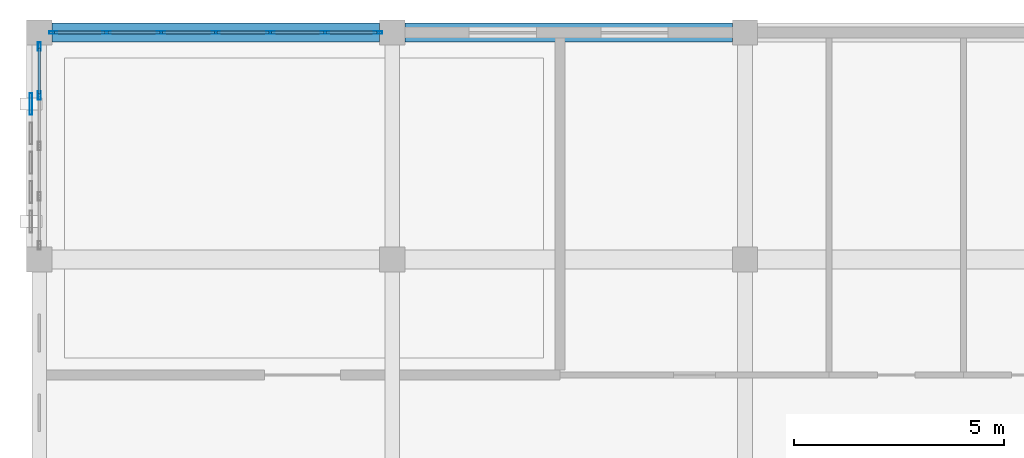
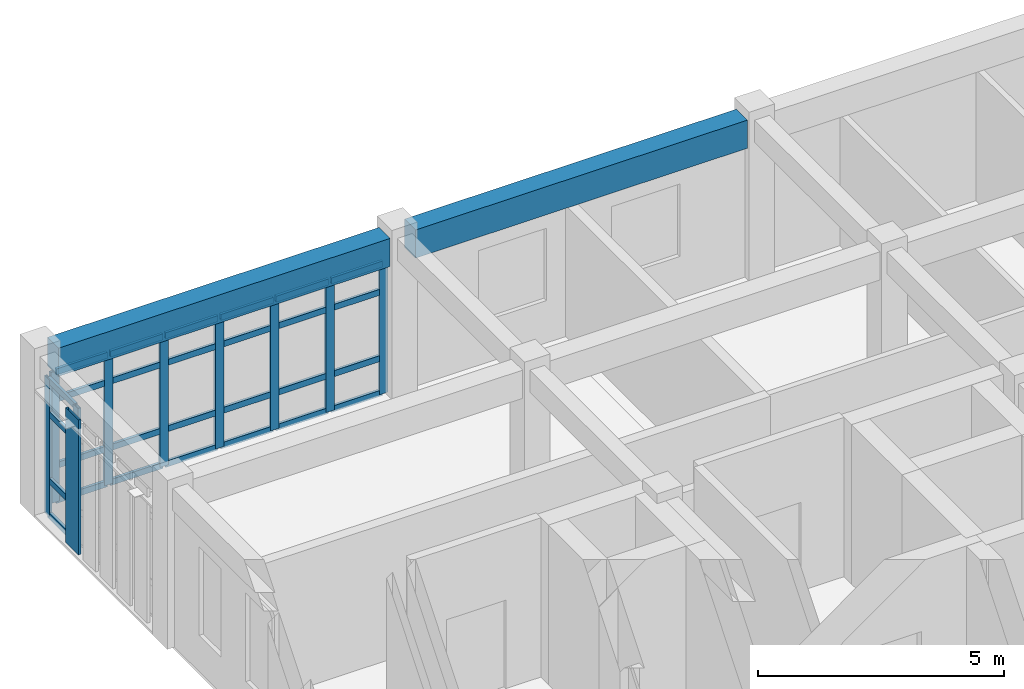
# One storey, part 13 of 21: 38 members, 2 beams, 2 elements without a shape of their own.
"""IFC4 building model written with IfcOpenShell, lengths in metres."""

from ifc_helpers import new_model, si_unit, direction, frame, origin, origin_2d, place, context, subcontext, project, spatial, rectangle, hollow_rectangle, extrude, material, layer, layer_set, material_profile, profile_set, type_object, element, aggregate, save


model = new_model("IFC4")

# Units and contexts
model_context = context("Model", 3, precision=1e-05, world=origin(), true_north=direction((0.0, 1.0)))
body_context = subcontext(model_context, "Body", "Model", "MODEL_VIEW")
ifc_project = project(units=[si_unit("LENGTHUNIT", "METRE"), si_unit("AREAUNIT", "SQUARE_METRE"), si_unit("VOLUMEUNIT", "CUBIC_METRE"), si_unit("PLANEANGLEUNIT", "RADIAN"), si_unit("MASSUNIT", "GRAM", prefix="KILO")], contexts=[model_context])

# Site, building, storey
site_placement = place(None, origin())
site = spatial("IfcSite", under=ifc_project, at=site_placement, CompositionType="ELEMENT")
building_placement = place(site_placement, origin())
building = spatial("IfcBuilding", under=site, at=building_placement, Name="Krzemoval Escarpment Law Courts", CompositionType="ELEMENT")
storey_placement = place(building_placement, frame((0.0, 0.0, 37.800048828125)))
storey = spatial("IfcBuildingStorey", under=building, at=storey_placement, Name="L08", CompositionType="ELEMENT", Elevation=37.800048828125)

# Beams
ifc_material_1 = material(Name="Concrete C40/50", Category="concrete")
ifc_material_profile_1 = material_profile(ifc_material_1, rectangle(XDim=0.449951171875, YDim=0.699951171875, at=origin_2d()), Name="RCB 450x700")
ifc_profile_set_1 = profile_set([ifc_material_profile_1], Name="Concrete C40/50")
beam_type = type_object("IfcBeamType", Name="BM-RC-450x700", PredefinedType="BEAM", material=ifc_profile_set_1)
for number, where, z_axis, x_axis, name in (
    (1, (126.300048828125, 118.800048828125, 3.60986328125), (1.0, 0.0, 0.0), (0.0, 1.0, 0.0), "Beam FG-L08-2755"),
    (2, (134.699951171875, 118.800048828125, 3.60986328125), (1.0, 0.0, 0.0), (0.0, 1.0, 0.0), "Beam FG-L08-2756"),
):
    element("IfcBeam", number, at=place(storey_placement, frame(where, z_axis=z_axis, x_axis=x_axis)), inside=storey, type_object=beam_type, Name=name, PredefinedType="BEAM", context=body_context, shape_type="SweptSolid", body=[
        extrude(rectangle(XDim=0.449951171875, YDim=0.699951171875, at=origin_2d()), origin(), (0.0, 0.0, 1.0), 7.800048828125),
    ])

# Curtain wall, members
ifc_material_2 = material(Name="Aluminium 6063-T6", Category="aluminium")
ifc_layer = layer(ifc_material_2, 0.219970703125)
ifc_layer_set = layer_set([ifc_layer], Name="Aluminium 6063-T6")
curtain_wall_type = type_object("IfcCurtainWallType", Name="CW-CHMB-4200", PredefinedType="USERDEFINED", material=ifc_layer_set)
curtain_wall_1_placement = place(storey_placement, origin())
curtain_wall_1 = element("IfcCurtainWall", 3, at=curtain_wall_1_placement, inside=storey, type_object=curtain_wall_type, Name="Unitised Curtain Wall FCW-L08-164", ObjectType="UNITISED_CURTAIN_WALL", PredefinedType="USERDEFINED")
ifc_material_3 = material(Name="Aluminium 6063-T6", Category="aluminium")
ifc_material_profile_2 = material_profile(ifc_material_3, hollow_rectangle(XDim=0.06494140625, YDim=0.199951171875, WallThickness=0.00439453125, at=origin_2d()), Name="ALU M65x200")
ifc_profile_set_2 = profile_set([ifc_material_profile_2], Name="Aluminium 6063-T6")
member_type_1 = type_object("IfcMemberType", Name="CWM-65x200", PredefinedType="MULLION", material=ifc_profile_set_2)
member_1_placement = place(storey_placement, frame((126.0, 117.300048828125, 0.0), z_axis=(0.0, 0.0, 1.0), x_axis=(-1.0, 0.0, 0.0)))
member_1 = element("IfcMember", 4, at=member_1_placement, type_object=member_type_1, Name="FCW-L08-164 mullion 4", PredefinedType="MULLION", context=body_context, shape_type="SweptSolid", body=[
    extrude(hollow_rectangle(XDim=0.06494140625, YDim=0.199951171875, WallThickness=0.00439453125, at=origin_2d()), origin(), (0.0, 0.0, 1.0), 3.409912109375),
])
member_2_placement = place(storey_placement, frame((126.0, 118.467529296875, 0.0), z_axis=(0.0, 0.0, 1.0), x_axis=(-1.0, 0.0, 0.0)))
member_2 = element("IfcMember", 5, at=member_2_placement, type_object=member_type_1, Name="FCW-L08-164 mullion 5", PredefinedType="MULLION", context=body_context, shape_type="SweptSolid", body=[
    extrude(hollow_rectangle(XDim=0.06494140625, YDim=0.199951171875, WallThickness=0.00439453125, at=origin_2d()), origin(), (0.0, 0.0, 1.0), 3.409912109375),
])

curtain_wall_2_placement = place(storey_placement, origin())
curtain_wall_2 = element("IfcCurtainWall", 6, at=curtain_wall_2_placement, inside=storey, type_object=curtain_wall_type, Name="Unitised Curtain Wall FCW-L08-165", ObjectType="UNITISED_CURTAIN_WALL", PredefinedType="USERDEFINED")
member_3_placement = place(storey_placement, frame((126.33251953125, 118.800048828125, 0.0), z_axis=(0.0, 0.0, 1.0), x_axis=(0.0, 1.0, 0.0)))
member_3 = element("IfcMember", 7, at=member_3_placement, type_object=member_type_1, Name="FCW-L08-165 mullion 1", PredefinedType="MULLION", context=body_context, shape_type="SweptSolid", body=[
    extrude(hollow_rectangle(XDim=0.06494140625, YDim=0.199951171875, WallThickness=0.00439453125, at=origin_2d()), origin(), (0.0, 0.0, 1.0), 3.260009765625),
])
member_4_placement = place(storey_placement, frame((127.60009765625, 118.800048828125, 0.0), z_axis=(0.0, 0.0, 1.0), x_axis=(0.0, 1.0, 0.0)))
member_4 = element("IfcMember", 8, at=member_4_placement, type_object=member_type_1, Name="FCW-L08-165 mullion 2", PredefinedType="MULLION", context=body_context, shape_type="SweptSolid", body=[
    extrude(hollow_rectangle(XDim=0.06494140625, YDim=0.199951171875, WallThickness=0.00439453125, at=origin_2d()), origin(), (0.0, 0.0, 1.0), 3.260009765625),
])
member_5_placement = place(storey_placement, frame((128.89990234375, 118.800048828125, 0.0), z_axis=(0.0, 0.0, 1.0), x_axis=(0.0, 1.0, 0.0)))
member_5 = element("IfcMember", 9, at=member_5_placement, type_object=member_type_1, Name="FCW-L08-165 mullion 3", PredefinedType="MULLION", context=body_context, shape_type="SweptSolid", body=[
    extrude(hollow_rectangle(XDim=0.06494140625, YDim=0.199951171875, WallThickness=0.00439453125, at=origin_2d()), origin(), (0.0, 0.0, 1.0), 3.260009765625),
])
member_6_placement = place(storey_placement, frame((130.199951171875, 118.800048828125, 0.0), z_axis=(0.0, 0.0, 1.0), x_axis=(0.0, 1.0, 0.0)))
member_6 = element("IfcMember", 10, at=member_6_placement, type_object=member_type_1, Name="FCW-L08-165 mullion 4", PredefinedType="MULLION", context=body_context, shape_type="SweptSolid", body=[
    extrude(hollow_rectangle(XDim=0.06494140625, YDim=0.199951171875, WallThickness=0.00439453125, at=origin_2d()), origin(), (0.0, 0.0, 1.0), 3.260009765625),
])
member_7_placement = place(storey_placement, frame((131.5, 118.800048828125, 0.0), z_axis=(0.0, 0.0, 1.0), x_axis=(0.0, 1.0, 0.0)))
member_7 = element("IfcMember", 11, at=member_7_placement, type_object=member_type_1, Name="FCW-L08-165 mullion 5", PredefinedType="MULLION", context=body_context, shape_type="SweptSolid", body=[
    extrude(hollow_rectangle(XDim=0.06494140625, YDim=0.199951171875, WallThickness=0.00439453125, at=origin_2d()), origin(), (0.0, 0.0, 1.0), 3.260009765625),
])
member_8_placement = place(storey_placement, frame((132.800048828125, 118.800048828125, 0.0), z_axis=(0.0, 0.0, 1.0), x_axis=(0.0, 1.0, 0.0)))
member_8 = element("IfcMember", 12, at=member_8_placement, type_object=member_type_1, Name="FCW-L08-165 mullion 6", PredefinedType="MULLION", context=body_context, shape_type="SweptSolid", body=[
    extrude(hollow_rectangle(XDim=0.06494140625, YDim=0.199951171875, WallThickness=0.00439453125, at=origin_2d()), origin(), (0.0, 0.0, 1.0), 3.260009765625),
])
member_9_placement = place(storey_placement, frame((134.0673828125, 118.800048828125, 0.0), z_axis=(0.0, 0.0, 1.0), x_axis=(0.0, 1.0, 0.0)))
member_9 = element("IfcMember", 13, at=member_9_placement, type_object=member_type_1, Name="FCW-L08-165 mullion 7", PredefinedType="MULLION", context=body_context, shape_type="SweptSolid", body=[
    extrude(hollow_rectangle(XDim=0.06494140625, YDim=0.199951171875, WallThickness=0.00439453125, at=origin_2d()), origin(), (0.0, 0.0, 1.0), 3.260009765625),
])

# Member
ifc_material_4 = material(Name="Aluminium 6063-T6", Category="aluminium")
ifc_material_profile_3 = material_profile(ifc_material_4, hollow_rectangle(XDim=0.06494140625, YDim=0.14990234375, WallThickness=0.00439453125, at=origin_2d()), Name="ALU T65x150")
ifc_profile_set_3 = profile_set([ifc_material_profile_3], Name="Aluminium 6063-T6")
member_type_2 = type_object("IfcMemberType", Name="CWT-65x150", PredefinedType="USERDEFINED", material=ifc_profile_set_3)
member_10_placement = place(storey_placement, frame((126.0, 117.33251953125, 0.032470703125), z_axis=(0.0, 1.0, 0.0), x_axis=(-1.0, 0.0, 0.0)))
member_10 = element("IfcMember", 14, at=member_10_placement, type_object=member_type_2, Name="FCW-L08-164 transom 4.1", ObjectType="TRANSOM", PredefinedType="USERDEFINED", context=body_context, shape_type="SweptSolid", body=[
    extrude(hollow_rectangle(XDim=0.06494140625, YDim=0.14990234375, WallThickness=0.00439453125, at=origin_2d()), origin(), (0.0, 0.0, 1.0), 1.1025390625),
])

member_11_placement = place(storey_placement, frame((126.0, 117.33251953125, 0.89990234375), z_axis=(0.0, 1.0, 0.0), x_axis=(-1.0, 0.0, 0.0)))
member_11 = element("IfcMember", 15, at=member_11_placement, type_object=member_type_2, Name="FCW-L08-164 transom 4.2", ObjectType="TRANSOM", PredefinedType="USERDEFINED", context=body_context, shape_type="SweptSolid", body=[
    extrude(hollow_rectangle(XDim=0.06494140625, YDim=0.14990234375, WallThickness=0.00439453125, at=origin_2d()), origin(), (0.0, 0.0, 1.0), 1.1025390625),
])

member_12_placement = place(storey_placement, frame((126.0, 117.33251953125, 2.550048828125), z_axis=(0.0, 1.0, 0.0), x_axis=(-1.0, 0.0, 0.0)))
member_12 = element("IfcMember", 16, at=member_12_placement, type_object=member_type_2, Name="FCW-L08-164 transom 4.3", ObjectType="TRANSOM", PredefinedType="USERDEFINED", context=body_context, shape_type="SweptSolid", body=[
    extrude(hollow_rectangle(XDim=0.06494140625, YDim=0.14990234375, WallThickness=0.00439453125, at=origin_2d()), origin(), (0.0, 0.0, 1.0), 1.1025390625),
])

member_13_placement = place(storey_placement, frame((126.0, 117.33251953125, 3.37744140625), z_axis=(0.0, 1.0, 0.0), x_axis=(-1.0, 0.0, 0.0)))
member_13 = element("IfcMember", 17, at=member_13_placement, type_object=member_type_2, Name="FCW-L08-164 transom 4.4", ObjectType="TRANSOM", PredefinedType="USERDEFINED", context=body_context, shape_type="SweptSolid", body=[
    extrude(hollow_rectangle(XDim=0.06494140625, YDim=0.14990234375, WallThickness=0.00439453125, at=origin_2d()), origin(), (0.0, 0.0, 1.0), 1.1025390625),
])

aggregate(curtain_wall_1, [member_1, member_2, member_10, member_11, member_12, member_13])

member_14_placement = place(storey_placement, frame((126.364990234375, 118.800048828125, 0.032470703125), z_axis=(1.0, 0.0, 0.0), x_axis=(0.0, 1.0, 0.0)))
member_14 = element("IfcMember", 18, at=member_14_placement, type_object=member_type_2, Name="FCW-L08-165 transom 1.1", ObjectType="TRANSOM", PredefinedType="USERDEFINED", context=body_context, shape_type="SweptSolid", body=[
    extrude(hollow_rectangle(XDim=0.06494140625, YDim=0.14990234375, WallThickness=0.00439453125, at=origin_2d()), origin(), (0.0, 0.0, 1.0), 1.202392578125),
])

member_15_placement = place(storey_placement, frame((126.364990234375, 118.800048828125, 0.89990234375), z_axis=(1.0, 0.0, 0.0), x_axis=(0.0, 1.0, 0.0)))
member_15 = element("IfcMember", 19, at=member_15_placement, type_object=member_type_2, Name="FCW-L08-165 transom 1.2", ObjectType="TRANSOM", PredefinedType="USERDEFINED", context=body_context, shape_type="SweptSolid", body=[
    extrude(hollow_rectangle(XDim=0.06494140625, YDim=0.14990234375, WallThickness=0.00439453125, at=origin_2d()), origin(), (0.0, 0.0, 1.0), 1.202392578125),
])

member_16_placement = place(storey_placement, frame((126.364990234375, 118.800048828125, 2.550048828125), z_axis=(1.0, 0.0, 0.0), x_axis=(0.0, 1.0, 0.0)))
member_16 = element("IfcMember", 20, at=member_16_placement, type_object=member_type_2, Name="FCW-L08-165 transom 1.3", ObjectType="TRANSOM", PredefinedType="USERDEFINED", context=body_context, shape_type="SweptSolid", body=[
    extrude(hollow_rectangle(XDim=0.06494140625, YDim=0.14990234375, WallThickness=0.00439453125, at=origin_2d()), origin(), (0.0, 0.0, 1.0), 1.202392578125),
])

member_17_placement = place(storey_placement, frame((126.364990234375, 118.800048828125, 3.2275390625), z_axis=(1.0, 0.0, 0.0), x_axis=(0.0, 1.0, 0.0)))
member_17 = element("IfcMember", 21, at=member_17_placement, type_object=member_type_2, Name="FCW-L08-165 transom 1.4", ObjectType="TRANSOM", PredefinedType="USERDEFINED", context=body_context, shape_type="SweptSolid", body=[
    extrude(hollow_rectangle(XDim=0.06494140625, YDim=0.14990234375, WallThickness=0.00439453125, at=origin_2d()), origin(), (0.0, 0.0, 1.0), 1.202392578125),
])

member_18_placement = place(storey_placement, frame((127.632568359375, 118.800048828125, 0.032470703125), z_axis=(1.0, 0.0, 0.0), x_axis=(0.0, 1.0, 0.0)))
member_18 = element("IfcMember", 22, at=member_18_placement, type_object=member_type_2, Name="FCW-L08-165 transom 2.1", ObjectType="TRANSOM", PredefinedType="USERDEFINED", context=body_context, shape_type="SweptSolid", body=[
    extrude(hollow_rectangle(XDim=0.06494140625, YDim=0.14990234375, WallThickness=0.00439453125, at=origin_2d()), origin(), (0.0, 0.0, 1.0), 1.23486328125),
])

member_19_placement = place(storey_placement, frame((127.632568359375, 118.800048828125, 0.89990234375), z_axis=(1.0, 0.0, 0.0), x_axis=(0.0, 1.0, 0.0)))
member_19 = element("IfcMember", 23, at=member_19_placement, type_object=member_type_2, Name="FCW-L08-165 transom 2.2", ObjectType="TRANSOM", PredefinedType="USERDEFINED", context=body_context, shape_type="SweptSolid", body=[
    extrude(hollow_rectangle(XDim=0.06494140625, YDim=0.14990234375, WallThickness=0.00439453125, at=origin_2d()), origin(), (0.0, 0.0, 1.0), 1.23486328125),
])

member_20_placement = place(storey_placement, frame((127.632568359375, 118.800048828125, 2.550048828125), z_axis=(1.0, 0.0, 0.0), x_axis=(0.0, 1.0, 0.0)))
member_20 = element("IfcMember", 24, at=member_20_placement, type_object=member_type_2, Name="FCW-L08-165 transom 2.3", ObjectType="TRANSOM", PredefinedType="USERDEFINED", context=body_context, shape_type="SweptSolid", body=[
    extrude(hollow_rectangle(XDim=0.06494140625, YDim=0.14990234375, WallThickness=0.00439453125, at=origin_2d()), origin(), (0.0, 0.0, 1.0), 1.23486328125),
])

member_21_placement = place(storey_placement, frame((127.632568359375, 118.800048828125, 3.2275390625), z_axis=(1.0, 0.0, 0.0), x_axis=(0.0, 1.0, 0.0)))
member_21 = element("IfcMember", 25, at=member_21_placement, type_object=member_type_2, Name="FCW-L08-165 transom 2.4", ObjectType="TRANSOM", PredefinedType="USERDEFINED", context=body_context, shape_type="SweptSolid", body=[
    extrude(hollow_rectangle(XDim=0.06494140625, YDim=0.14990234375, WallThickness=0.00439453125, at=origin_2d()), origin(), (0.0, 0.0, 1.0), 1.23486328125),
])

member_22_placement = place(storey_placement, frame((128.9326171875, 118.800048828125, 0.032470703125), z_axis=(1.0, 0.0, 0.0), x_axis=(0.0, 1.0, 0.0)))
member_22 = element("IfcMember", 26, at=member_22_placement, type_object=member_type_2, Name="FCW-L08-165 transom 3.1", ObjectType="TRANSOM", PredefinedType="USERDEFINED", context=body_context, shape_type="SweptSolid", body=[
    extrude(hollow_rectangle(XDim=0.06494140625, YDim=0.14990234375, WallThickness=0.00439453125, at=origin_2d()), origin(), (0.0, 0.0, 1.0), 1.23486328125),
])

member_23_placement = place(storey_placement, frame((128.9326171875, 118.800048828125, 0.89990234375), z_axis=(1.0, 0.0, 0.0), x_axis=(0.0, 1.0, 0.0)))
member_23 = element("IfcMember", 27, at=member_23_placement, type_object=member_type_2, Name="FCW-L08-165 transom 3.2", ObjectType="TRANSOM", PredefinedType="USERDEFINED", context=body_context, shape_type="SweptSolid", body=[
    extrude(hollow_rectangle(XDim=0.06494140625, YDim=0.14990234375, WallThickness=0.00439453125, at=origin_2d()), origin(), (0.0, 0.0, 1.0), 1.23486328125),
])

member_24_placement = place(storey_placement, frame((128.9326171875, 118.800048828125, 2.550048828125), z_axis=(1.0, 0.0, 0.0), x_axis=(0.0, 1.0, 0.0)))
member_24 = element("IfcMember", 28, at=member_24_placement, type_object=member_type_2, Name="FCW-L08-165 transom 3.3", ObjectType="TRANSOM", PredefinedType="USERDEFINED", context=body_context, shape_type="SweptSolid", body=[
    extrude(hollow_rectangle(XDim=0.06494140625, YDim=0.14990234375, WallThickness=0.00439453125, at=origin_2d()), origin(), (0.0, 0.0, 1.0), 1.23486328125),
])

member_25_placement = place(storey_placement, frame((128.9326171875, 118.800048828125, 3.2275390625), z_axis=(1.0, 0.0, 0.0), x_axis=(0.0, 1.0, 0.0)))
member_25 = element("IfcMember", 29, at=member_25_placement, type_object=member_type_2, Name="FCW-L08-165 transom 3.4", ObjectType="TRANSOM", PredefinedType="USERDEFINED", context=body_context, shape_type="SweptSolid", body=[
    extrude(hollow_rectangle(XDim=0.06494140625, YDim=0.14990234375, WallThickness=0.00439453125, at=origin_2d()), origin(), (0.0, 0.0, 1.0), 1.23486328125),
])

member_26_placement = place(storey_placement, frame((130.232421875, 118.800048828125, 0.032470703125), z_axis=(1.0, 0.0, 0.0), x_axis=(0.0, 1.0, 0.0)))
member_26 = element("IfcMember", 30, at=member_26_placement, type_object=member_type_2, Name="FCW-L08-165 transom 4.1", ObjectType="TRANSOM", PredefinedType="USERDEFINED", context=body_context, shape_type="SweptSolid", body=[
    extrude(hollow_rectangle(XDim=0.06494140625, YDim=0.14990234375, WallThickness=0.00439453125, at=origin_2d()), origin(), (0.0, 0.0, 1.0), 1.235107421875),
])

member_27_placement = place(storey_placement, frame((130.232421875, 118.800048828125, 0.89990234375), z_axis=(1.0, 0.0, 0.0), x_axis=(0.0, 1.0, 0.0)))
member_27 = element("IfcMember", 31, at=member_27_placement, type_object=member_type_2, Name="FCW-L08-165 transom 4.2", ObjectType="TRANSOM", PredefinedType="USERDEFINED", context=body_context, shape_type="SweptSolid", body=[
    extrude(hollow_rectangle(XDim=0.06494140625, YDim=0.14990234375, WallThickness=0.00439453125, at=origin_2d()), origin(), (0.0, 0.0, 1.0), 1.235107421875),
])

member_28_placement = place(storey_placement, frame((130.232421875, 118.800048828125, 2.550048828125), z_axis=(1.0, 0.0, 0.0), x_axis=(0.0, 1.0, 0.0)))
member_28 = element("IfcMember", 32, at=member_28_placement, type_object=member_type_2, Name="FCW-L08-165 transom 4.3", ObjectType="TRANSOM", PredefinedType="USERDEFINED", context=body_context, shape_type="SweptSolid", body=[
    extrude(hollow_rectangle(XDim=0.06494140625, YDim=0.14990234375, WallThickness=0.00439453125, at=origin_2d()), origin(), (0.0, 0.0, 1.0), 1.235107421875),
])

member_29_placement = place(storey_placement, frame((130.232421875, 118.800048828125, 3.2275390625), z_axis=(1.0, 0.0, 0.0), x_axis=(0.0, 1.0, 0.0)))
member_29 = element("IfcMember", 33, at=member_29_placement, type_object=member_type_2, Name="FCW-L08-165 transom 4.4", ObjectType="TRANSOM", PredefinedType="USERDEFINED", context=body_context, shape_type="SweptSolid", body=[
    extrude(hollow_rectangle(XDim=0.06494140625, YDim=0.14990234375, WallThickness=0.00439453125, at=origin_2d()), origin(), (0.0, 0.0, 1.0), 1.235107421875),
])

member_30_placement = place(storey_placement, frame((131.532470703125, 118.800048828125, 0.032470703125), z_axis=(1.0, 0.0, 0.0), x_axis=(0.0, 1.0, 0.0)))
member_30 = element("IfcMember", 34, at=member_30_placement, type_object=member_type_2, Name="FCW-L08-165 transom 5.1", ObjectType="TRANSOM", PredefinedType="USERDEFINED", context=body_context, shape_type="SweptSolid", body=[
    extrude(hollow_rectangle(XDim=0.06494140625, YDim=0.14990234375, WallThickness=0.00439453125, at=origin_2d()), origin(), (0.0, 0.0, 1.0), 1.235107421875),
])

member_31_placement = place(storey_placement, frame((131.532470703125, 118.800048828125, 0.89990234375), z_axis=(1.0, 0.0, 0.0), x_axis=(0.0, 1.0, 0.0)))
member_31 = element("IfcMember", 35, at=member_31_placement, type_object=member_type_2, Name="FCW-L08-165 transom 5.2", ObjectType="TRANSOM", PredefinedType="USERDEFINED", context=body_context, shape_type="SweptSolid", body=[
    extrude(hollow_rectangle(XDim=0.06494140625, YDim=0.14990234375, WallThickness=0.00439453125, at=origin_2d()), origin(), (0.0, 0.0, 1.0), 1.235107421875),
])

member_32_placement = place(storey_placement, frame((131.532470703125, 118.800048828125, 2.550048828125), z_axis=(1.0, 0.0, 0.0), x_axis=(0.0, 1.0, 0.0)))
member_32 = element("IfcMember", 36, at=member_32_placement, type_object=member_type_2, Name="FCW-L08-165 transom 5.3", ObjectType="TRANSOM", PredefinedType="USERDEFINED", context=body_context, shape_type="SweptSolid", body=[
    extrude(hollow_rectangle(XDim=0.06494140625, YDim=0.14990234375, WallThickness=0.00439453125, at=origin_2d()), origin(), (0.0, 0.0, 1.0), 1.235107421875),
])

member_33_placement = place(storey_placement, frame((131.532470703125, 118.800048828125, 3.2275390625), z_axis=(1.0, 0.0, 0.0), x_axis=(0.0, 1.0, 0.0)))
member_33 = element("IfcMember", 37, at=member_33_placement, type_object=member_type_2, Name="FCW-L08-165 transom 5.4", ObjectType="TRANSOM", PredefinedType="USERDEFINED", context=body_context, shape_type="SweptSolid", body=[
    extrude(hollow_rectangle(XDim=0.06494140625, YDim=0.14990234375, WallThickness=0.00439453125, at=origin_2d()), origin(), (0.0, 0.0, 1.0), 1.235107421875),
])

member_34_placement = place(storey_placement, frame((132.83251953125, 118.800048828125, 0.032470703125), z_axis=(1.0, 0.0, 0.0), x_axis=(0.0, 1.0, 0.0)))
member_34 = element("IfcMember", 38, at=member_34_placement, type_object=member_type_2, Name="FCW-L08-165 transom 6.1", ObjectType="TRANSOM", PredefinedType="USERDEFINED", context=body_context, shape_type="SweptSolid", body=[
    extrude(hollow_rectangle(XDim=0.06494140625, YDim=0.14990234375, WallThickness=0.00439453125, at=origin_2d()), origin(), (0.0, 0.0, 1.0), 1.202392578125),
])

member_35_placement = place(storey_placement, frame((132.83251953125, 118.800048828125, 0.89990234375), z_axis=(1.0, 0.0, 0.0), x_axis=(0.0, 1.0, 0.0)))
member_35 = element("IfcMember", 39, at=member_35_placement, type_object=member_type_2, Name="FCW-L08-165 transom 6.2", ObjectType="TRANSOM", PredefinedType="USERDEFINED", context=body_context, shape_type="SweptSolid", body=[
    extrude(hollow_rectangle(XDim=0.06494140625, YDim=0.14990234375, WallThickness=0.00439453125, at=origin_2d()), origin(), (0.0, 0.0, 1.0), 1.202392578125),
])

member_36_placement = place(storey_placement, frame((132.83251953125, 118.800048828125, 2.550048828125), z_axis=(1.0, 0.0, 0.0), x_axis=(0.0, 1.0, 0.0)))
member_36 = element("IfcMember", 40, at=member_36_placement, type_object=member_type_2, Name="FCW-L08-165 transom 6.3", ObjectType="TRANSOM", PredefinedType="USERDEFINED", context=body_context, shape_type="SweptSolid", body=[
    extrude(hollow_rectangle(XDim=0.06494140625, YDim=0.14990234375, WallThickness=0.00439453125, at=origin_2d()), origin(), (0.0, 0.0, 1.0), 1.202392578125),
])

member_37_placement = place(storey_placement, frame((132.83251953125, 118.800048828125, 3.2275390625), z_axis=(1.0, 0.0, 0.0), x_axis=(0.0, 1.0, 0.0)))
member_37 = element("IfcMember", 41, at=member_37_placement, type_object=member_type_2, Name="FCW-L08-165 transom 6.4", ObjectType="TRANSOM", PredefinedType="USERDEFINED", context=body_context, shape_type="SweptSolid", body=[
    extrude(hollow_rectangle(XDim=0.06494140625, YDim=0.14990234375, WallThickness=0.00439453125, at=origin_2d()), origin(), (0.0, 0.0, 1.0), 1.202392578125),
])

aggregate(curtain_wall_2, [member_3, member_4, member_5, member_6, member_7, member_8, member_9, member_14, member_15, member_16, member_17, member_18, member_19, member_20, member_21, member_22, member_23, member_24, member_25, member_26, member_27, member_28, member_29, member_30, member_31, member_32, member_33, member_34, member_35, member_36, member_37])

ifc_material_5 = material(Name="Anodised Aluminium Alloy 6063-T6", Category="aluminium")
ifc_material_profile_4 = material_profile(ifc_material_5, hollow_rectangle(XDim=0.06494140625, YDim=0.52001953125, WallThickness=0.00439453125, at=origin_2d()), Name="ALU LVR 65x520")
ifc_profile_set_4 = profile_set([ifc_material_profile_4], Name="Anodised Aluminium Alloy 6063-T6")
member_type_3 = type_object("IfcMemberType", Name="LVR-ALU-520", PredefinedType="USERDEFINED", material=ifc_profile_set_4)
member_38_placement = place(storey_placement, frame((125.800048828125, 117.10009765625, 0.06005859375), z_axis=(0.0, 0.0, 1.0), x_axis=(1.0, 0.0, 0.0)))
element("IfcMember", 42, at=member_38_placement, inside=storey, type_object=member_type_3, Name="Sunshade Louvre Fin FLV-L08-1095", ObjectType="SUNSHADE_LOUVRE", PredefinedType="USERDEFINED", context=body_context, shape_type="SweptSolid", body=[
    extrude(hollow_rectangle(XDim=0.06494140625, YDim=0.52001953125, WallThickness=0.00439453125, at=origin_2d()), origin(), (0.0, 0.0, 1.0), 3.349853515625),
])

save(model, "model.ifc")
